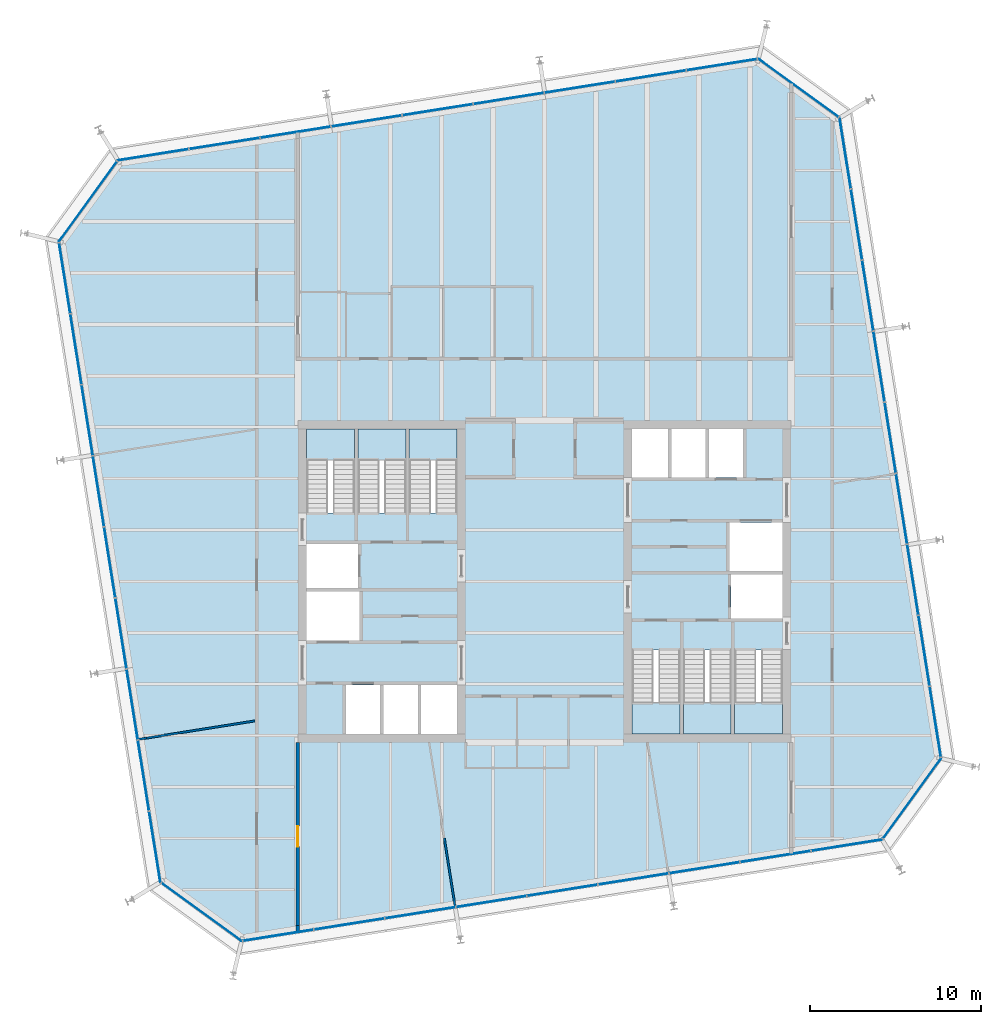
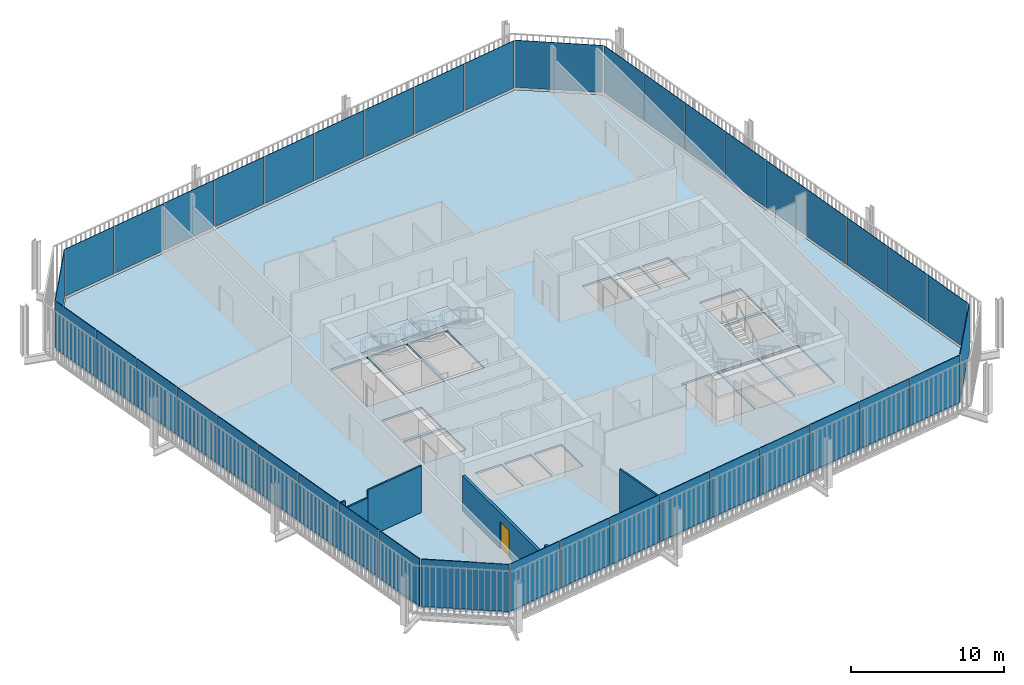
# One storey, part 15 of 20: 40 plates, 7 slabs, 6 walls, 1 door, 1 opening, 14 elements without a shape of their own.
"""IFC4 building model written with IfcOpenShell, lengths in metres."""

import ifcopenshell
import ifcopenshell.guid

model = None  # the IFC model being written
_history = None  # IfcOwnerHistory: only IFC2X3 demands one
_inside = {}  # id of a spatial element -> (the spatial element, [elements in it])
_under = {}  # id of a project, library or spatial element -> (it, [spatial elements below it])
_declared = {}  # id of a project -> (the project, [libraries it declares])
_typed = {}  # id of a type object -> (the type object, [elements of that type])
_made_of = {}  # id of a material, layer set ... -> (it, [elements and type objects made of it])


def new_model(schema):
    """Start an empty IFC model of exactly this schema.

    Asked for "IFC4X3", IfcOpenShell would pick the latest addendum, in which some entities
    have other attributes; the version numbers below select the first issue.
    IFC2X3 requires an IfcOwnerHistory on every rooted entity: one is made here for all.
    """
    global model, _history
    if schema == "IFC4X3":
        model = ifcopenshell.file(schema_version=(4, 3, 0, 0))
    else:
        model = ifcopenshell.file(schema=schema)
    _inside.clear()
    _under.clear()
    _declared.clear()
    _typed.clear()
    _made_of.clear()
    _history = None
    if model.schema == "IFC2X3":
        org = make("IfcOrganization", Name="unknown")
        user = make(
            "IfcPersonAndOrganization",
            ThePerson=make("IfcPerson", FamilyName="unknown"),
            TheOrganization=org,
        )
        app = make(
            "IfcApplication",
            ApplicationDeveloper=org,
            Version="unknown",
            ApplicationFullName="unknown",
            ApplicationIdentifier="unknown",
        )
        _history = make(
            "IfcOwnerHistory",
            OwningUser=user,
            OwningApplication=app,
            ChangeAction="ADDED",
            CreationDate=0,
        )
    return model


def make(cls, **values):
    """One entity of the class cls with the attributes given. An attribute that is None is left unset."""
    return model.create_entity(
        cls, **{name: value for name, value in values.items() if value is not None}
    )


def rooted(cls, **values):
    """An entity with a GlobalId (a new one), such as an element, a storey or a relation."""
    return make(cls, GlobalId=ifcopenshell.guid.new(), OwnerHistory=_history, **values)


def si_unit(unit_type, name, prefix=None):
    """IfcSIUnit, for example si_unit("LENGTHUNIT", "METRE", prefix="MILLI")."""
    return make("IfcSIUnit", UnitType=unit_type, Prefix=prefix, Name=name)


def assignment(units):
    """IfcUnitAssignment: the units of a project."""
    return None if units is None else make("IfcUnitAssignment", Units=units)


def point(xyz):
    """IfcCartesianPoint."""
    return None if xyz is None else make("IfcCartesianPoint", Coordinates=xyz)


def direction(xyz):
    """IfcDirection."""
    return None if xyz is None else make("IfcDirection", DirectionRatios=xyz)


def frame(location, z_axis=None, x_axis=None):
    """IfcAxis2Placement3D, a coordinate frame: its origin and axes. An axis left out is left unset."""
    return make(
        "IfcAxis2Placement3D",
        Location=point(location),
        Axis=direction(z_axis),
        RefDirection=direction(x_axis),
    )


def frame_2d(location, x_axis=None):
    """IfcAxis2Placement2D, a coordinate frame in the plane: its origin and x axis."""
    return make(
        "IfcAxis2Placement2D", Location=point(location), RefDirection=direction(x_axis)
    )


def origin():
    """The frame at (0, 0, 0) with its axes left unset."""
    return frame((0.0, 0.0, 0.0))


def place(relative_to, where):
    """IfcLocalPlacement: puts the frame where relative to a parent placement (None: the world)."""
    return make(
        "IfcLocalPlacement", PlacementRelTo=relative_to, RelativePlacement=where
    )


def context(
    kind, dimensions, precision=None, world=None, true_north=None, identifier=None
):
    """IfcGeometricRepresentationContext, for example the 3D "Model" context."""
    return make(
        "IfcGeometricRepresentationContext",
        ContextIdentifier=identifier,
        ContextType=kind,
        CoordinateSpaceDimension=dimensions,
        Precision=precision,
        WorldCoordinateSystem=world,
        TrueNorth=true_north,
    )


def subcontext(parent, identifier, kind, view, scale=None):
    """IfcGeometricRepresentationSubContext, for example "Body" below "Model"."""
    return make(
        "IfcGeometricRepresentationSubContext",
        ContextIdentifier=identifier,
        ContextType=kind,
        ParentContext=parent,
        TargetScale=scale,
        TargetView=view,
    )


def project(units=None, contexts=None):
    """IfcProject with its units and contexts."""
    return rooted(
        "IfcProject",
        Name="project",
        RepresentationContexts=contexts,
        UnitsInContext=assignment(units),
    )


def spatial(cls, under=None, at=None, **own):
    """A site, building, storey or space (cls), placed at a placement, below another one or the project."""
    s = rooted(cls, ObjectPlacement=at, **own)
    if under is not None:
        _under.setdefault(under.id(), (under, []))[1].append(s)
    return s


def polyline(points):
    """IfcPolyline through the points."""
    return make("IfcPolyline", Points=[point(p) for p in points])


def profile(cls, at=None, kind="AREA", **sizes):
    """A parametric profile (cls). Its sizes go by their IFC names, for example OverallWidth=200.0."""
    return make(cls, ProfileType=kind, Position=at, **sizes)


def rectangle(**sizes):
    """IfcRectangleProfileDef."""
    return profile("IfcRectangleProfileDef", **sizes)


def outline(outer, holes=None, kind="AREA"):
    """IfcArbitraryClosedProfileDef: a profile drawn as a closed curve; with holes, ...WithVoids."""
    if holes is None:
        return make("IfcArbitraryClosedProfileDef", ProfileType=kind, OuterCurve=outer)
    return make(
        "IfcArbitraryProfileDefWithVoids",
        ProfileType=kind,
        OuterCurve=outer,
        InnerCurves=holes,
    )


def extrude(swept, where, along, depth):
    """IfcExtrudedAreaSolid: the profile swept, set in the frame where, extruded along a direction by depth."""
    return make(
        "IfcExtrudedAreaSolid",
        SweptArea=swept,
        Position=where,
        ExtrudedDirection=direction(along),
        Depth=depth,
    )


def shape(context_of_items, identifier, shape_type, items):
    """IfcShapeRepresentation: the items that make up one representation, for example the "Body"."""
    return make(
        "IfcShapeRepresentation",
        ContextOfItems=context_of_items,
        RepresentationIdentifier=identifier,
        RepresentationType=shape_type,
        Items=items,
    )


def material(Name=None, Category=None):
    """IfcMaterial."""
    return make("IfcMaterial", Name=Name, Category=Category)


def layer(
    of_material, thickness, ventilated=None, Name=None, Category=None, Priority=None
):
    """IfcMaterialLayer: one layer of a wall or slab, of a material (None: an air gap)."""
    return make(
        "IfcMaterialLayer",
        Material=of_material,
        LayerThickness=thickness,
        IsVentilated=ventilated,
        Name=Name,
        Category=Category,
        Priority=Priority,
    )


def layer_set(layers, Name=None):
    """IfcMaterialLayerSet."""
    return make("IfcMaterialLayerSet", MaterialLayers=layers, LayerSetName=Name)


def made_of(thing, what):
    """Note that an element or type object is made of a material, layer set ...; save() writes the relation."""
    if what is not None:
        _made_of.setdefault(what.id(), (what, []))[1].append(thing)
    return thing


def type_object(cls, material=None, **own):
    """A type object (cls), such as IfcWallType, which elements share."""
    return made_of(rooted(cls, **own), material)


def element(
    cls,
    number,
    at=None,
    inside=None,
    cuts=None,
    type_object=None,
    material=None,
    context=None,
    identifier="Body",
    shape_type=None,
    held_by="IfcProductDefinitionShape",
    body=None,
    shapes=None,
    **own,
):
    """One element of the class cls, such as IfcWall. Its Tag is "e" and its number.

    at: its placement. inside: the storey or other place that contains it. cuts: it is an
    opening in that element (IfcRelVoidsElement). A single representation is given by context,
    identifier, shape_type and body (its items); several are given by shapes. held_by: the class
    of the entity that holds the representations. save() writes the other relations.
    """
    e = rooted(cls, Tag="e%d" % number, ObjectPlacement=at, **own)
    if body is not None:
        shapes = [shape(context, identifier, shape_type, body)]
    if shapes is not None:
        e.Representation = make(held_by, Representations=shapes)
    if inside is not None:
        _inside.setdefault(inside.id(), (inside, []))[1].append(e)
    if cuts is not None:
        rooted(
            "IfcRelVoidsElement", RelatingBuildingElement=cuts, RelatedOpeningElement=e
        )
    if type_object is not None:
        _typed.setdefault(type_object.id(), (type_object, []))[1].append(e)
    return made_of(e, material)


def fill(opening, filler):
    """IfcRelFillsElement: the door or window that sits in an opening."""
    return rooted(
        "IfcRelFillsElement",
        RelatingOpeningElement=opening,
        RelatedBuildingElement=filler,
    )


def aggregate(whole, parts):
    """IfcRelAggregates: a whole, such as a stair, and the parts it consists of."""
    return rooted("IfcRelAggregates", RelatingObject=whole, RelatedObjects=parts)


def save(model, path):
    """Write the relations noted so far, then the file.

    IfcRelAggregates (storeys below a building ...), IfcRelContainedInSpatialStructure (elements
    in a storey), IfcRelDefinesByType, IfcRelAssociatesMaterial and IfcRelDeclares: one each for
    every whole, place, type object, material and project.
    """
    for whole, parts in _under.values():
        aggregate(whole, parts)
    for where, things in _inside.values():
        rooted(
            "IfcRelContainedInSpatialStructure",
            RelatedElements=things,
            RelatingStructure=where,
        )
    for kind, things in _typed.values():
        rooted("IfcRelDefinesByType", RelatedObjects=things, RelatingType=kind)
    for what, things in _made_of.values():
        rooted("IfcRelAssociatesMaterial", RelatedObjects=things, RelatingMaterial=what)
    for by, libraries in _declared.values():
        rooted("IfcRelDeclares", RelatingContext=by, RelatedDefinitions=libraries)
    model.write(path)


model = new_model("IFC4")

# Units and contexts
model_context = context("Model", 3, precision=1e-05, world=origin(), true_north=direction((0.0, 1.0)))
body_context = subcontext(model_context, "Body", "Model", "MODEL_VIEW")
ifc_project = project(units=[si_unit("LENGTHUNIT", "METRE"), si_unit("AREAUNIT", "SQUARE_METRE"), si_unit("VOLUMEUNIT", "CUBIC_METRE"), si_unit("PLANEANGLEUNIT", "RADIAN"), si_unit("MASSUNIT", "GRAM", prefix="KILO")], contexts=[model_context])

# Site, building, storey
site_placement = place(None, origin())
site = spatial("IfcSite", under=ifc_project, at=site_placement, CompositionType="ELEMENT")
building_placement = place(site_placement, origin())
building = spatial("IfcBuilding", under=site, at=building_placement, Name="Millrace Tower", CompositionType="ELEMENT")
storey_placement = place(building_placement, frame((0.0, 0.0, 259.10009765625)))
storey = spatial("IfcBuildingStorey", under=building, at=storey_placement, Name="L59", CompositionType="ELEMENT", Elevation=259.10009765625)

# Curtain wall, plate
ifc_material_1 = material(Name="Aluminium and glass", Category="aluminium")
ifc_layer_1 = layer(ifc_material_1, 0.14990234375)
ifc_layer_set_1 = layer_set([ifc_layer_1], Name="Aluminium and glass")
curtain_wall_type = type_object("IfcCurtainWallType", Name="CW-1 office vision curtain wall", PredefinedType="NOTDEFINED", material=ifc_layer_set_1)
placement_1 = place(storey_placement, origin())
curtain_wall_1 = element("IfcCurtainWall", 1, at=placement_1, inside=storey, type_object=curtain_wall_type, Name="Curtain wall D-F01 L59", PredefinedType="NOTDEFINED")
ifc_material_2 = material(Name="Glass", Category="glass")
ifc_layer_2 = layer(ifc_material_2, 0.0439453125)
ifc_layer_set_2 = layer_set([ifc_layer_2], Name="Glass")
plate_type = type_object("IfcPlateType", Name="CW-1 office vision curtain wall triple-glazed vision panel", PredefinedType="CURTAIN_PANEL", material=ifc_layer_set_2)
placement_2 = place(storey_placement, frame((0.0, 0.0, 0.139892578125)))
plate_1 = element("IfcPlate", 2, at=placement_2, type_object=plate_type, Name="CW1 panel D-F01.1", PredefinedType="CURTAIN_PANEL", context=body_context, shape_type="SweptSolid", body=[
    extrude(outline(polyline([(-22.36474609375, -17.632080078125), (-17.69384765625, -21.025634765625), (-17.6826171875, -20.979248046875), (-22.3388671875, -17.596435546875), (-22.36474609375, -17.632080078125)])), origin(), (0.0, 0.0, 1.0), 3.760009765625),
])
aggregate(curtain_wall_1, [plate_1])

# Curtain wall, plates
curtain_wall_2 = element("IfcCurtainWall", 3, at=placement_1, inside=storey, type_object=curtain_wall_type, Name="Curtain wall D-F02 L59", PredefinedType="NOTDEFINED")
plate_2 = element("IfcPlate", 4, at=placement_2, type_object=plate_type, Name="CW1 panel D-F02.1", PredefinedType="CURTAIN_PANEL", context=body_context, shape_type="SweptSolid", body=[
    extrude(outline(polyline([(-17.58984375, -21.009033203125), (-13.505859375, -20.3623046875), (-13.5126953125, -20.31884765625), (-17.596923828125, -20.965576171875), (-17.58984375, -21.009033203125)])), origin(), (0.0, 0.0, 1.0), 3.760009765625),
])
plate_3 = element("IfcPlate", 5, at=placement_2, type_object=plate_type, Name="CW1 panel D-F02.2", PredefinedType="CURTAIN_PANEL", context=body_context, shape_type="SweptSolid", body=[
    extrude(outline(polyline([(-13.441650390625, -20.35205078125), (-9.357666015625, -19.705078125), (-9.364501953125, -19.66162109375), (-13.448486328125, -20.30859375), (-13.441650390625, -20.35205078125)])), origin(), (0.0, 0.0, 1.0), 3.760009765625),
])
plate_4 = element("IfcPlate", 6, at=placement_2, type_object=plate_type, Name="CW1 panel D-F02.3", PredefinedType="CURTAIN_PANEL", context=body_context, shape_type="SweptSolid", body=[
    extrude(outline(polyline([(-9.29345703125, -19.695068359375), (-5.209228515625, -19.048095703125), (-5.216064453125, -19.004638671875), (-9.30029296875, -19.651611328125), (-9.29345703125, -19.695068359375)])), origin(), (0.0, 0.0, 1.0), 3.760009765625),
])
plate_5 = element("IfcPlate", 7, at=placement_2, type_object=plate_type, Name="CW1 panel D-F02.4", PredefinedType="CURTAIN_PANEL", context=body_context, shape_type="SweptSolid", body=[
    extrude(outline(polyline([(-5.14501953125, -19.0380859375), (-1.06103515625, -18.39111328125), (-1.06787109375, -18.34765625), (-5.15185546875, -18.99462890625), (-5.14501953125, -19.0380859375)])), origin(), (0.0, 0.0, 1.0), 3.760009765625),
])
plate_6 = element("IfcPlate", 8, at=placement_2, type_object=plate_type, Name="CW1 panel D-F02.5", PredefinedType="CURTAIN_PANEL", context=body_context, shape_type="SweptSolid", body=[
    extrude(outline(polyline([(-0.996826171875, -18.380859375), (3.08740234375, -17.734130859375), (3.080322265625, -17.690673828125), (-1.003662109375, -18.33740234375), (-0.996826171875, -18.380859375)])), origin(), (0.0, 0.0, 1.0), 3.760009765625),
])
plate_7 = element("IfcPlate", 9, at=placement_2, type_object=plate_type, Name="CW1 panel D-F02.6", PredefinedType="CURTAIN_PANEL", context=body_context, shape_type="SweptSolid", body=[
    extrude(outline(polyline([(3.151611328125, -17.723876953125), (7.235595703125, -17.0771484375), (7.228759765625, -17.03369140625), (3.14453125, -17.680419921875), (3.151611328125, -17.723876953125)])), origin(), (0.0, 0.0, 1.0), 3.760009765625),
])
plate_8 = element("IfcPlate", 10, at=placement_2, type_object=plate_type, Name="CW1 panel D-F02.7", PredefinedType="CURTAIN_PANEL", context=body_context, shape_type="SweptSolid", body=[
    extrude(outline(polyline([(7.2998046875, -17.06689453125), (11.3837890625, -16.420166015625), (11.376953125, -16.376708984375), (7.29296875, -17.0234375), (7.2998046875, -17.06689453125)])), origin(), (0.0, 0.0, 1.0), 3.760009765625),
])
plate_9 = element("IfcPlate", 11, at=placement_2, type_object=plate_type, Name="CW1 panel D-F02.8", PredefinedType="CURTAIN_PANEL", context=body_context, shape_type="SweptSolid", body=[
    extrude(outline(polyline([(11.447998046875, -16.409912109375), (15.5322265625, -15.762939453125), (15.525390625, -15.719482421875), (11.441162109375, -16.366455078125), (11.447998046875, -16.409912109375)])), origin(), (0.0, 0.0, 1.0), 3.760009765625),
])
plate_10 = element("IfcPlate", 12, at=placement_2, type_object=plate_type, Name="CW1 panel D-F02.9", PredefinedType="CURTAIN_PANEL", context=body_context, shape_type="SweptSolid", body=[
    extrude(outline(polyline([(15.596435546875, -15.7529296875), (19.72021484375, -15.099853515625), (19.6953125, -15.05908203125), (15.589599609375, -15.70947265625), (15.596435546875, -15.7529296875)])), origin(), (0.0, 0.0, 1.0), 3.760009765625),
])
aggregate(curtain_wall_2, [plate_2, plate_3, plate_4, plate_5, plate_6, plate_7, plate_8, plate_9, plate_10])

# Curtain wall, plate
curtain_wall_3 = element("IfcCurtainWall", 13, at=placement_1, inside=storey, type_object=curtain_wall_type, Name="Curtain wall D-F03 L59", PredefinedType="NOTDEFINED")
plate_11 = element("IfcPlate", 14, at=placement_2, type_object=plate_type, Name="CW1 panel D-F03.1", PredefinedType="CURTAIN_PANEL", context=body_context, shape_type="SweptSolid", body=[
    extrude(outline(polyline([(19.781982421875, -15.0146484375), (23.175537109375, -10.34375), (23.129150390625, -10.332763671875), (19.746337890625, -14.98876953125), (19.781982421875, -15.0146484375)])), origin(), (0.0, 0.0, 1.0), 3.760009765625),
])
aggregate(curtain_wall_3, [plate_11])

# Curtain wall, plates
curtain_wall_4 = element("IfcCurtainWall", 15, at=placement_1, inside=storey, type_object=curtain_wall_type, Name="Curtain wall D-F04 L59", PredefinedType="NOTDEFINED")
plate_12 = element("IfcPlate", 16, at=placement_2, type_object=plate_type, Name="CW1 panel D-F04.1", PredefinedType="CURTAIN_PANEL", context=body_context, shape_type="SweptSolid", body=[
    extrude(outline(polyline([(23.1591796875, -10.239990234375), (22.51220703125, -6.15576171875), (22.46875, -6.162841796875), (23.11572265625, -10.246826171875), (23.1591796875, -10.239990234375)])), origin(), (0.0, 0.0, 1.0), 3.760009765625),
])
plate_13 = element("IfcPlate", 17, at=placement_2, type_object=plate_type, Name="CW1 panel D-F04.2", PredefinedType="CURTAIN_PANEL", context=body_context, shape_type="SweptSolid", body=[
    extrude(outline(polyline([(22.501953125, -6.091552734375), (21.855224609375, -2.007568359375), (21.811767578125, -2.014404296875), (22.45849609375, -6.0986328125), (22.501953125, -6.091552734375)])), origin(), (0.0, 0.0, 1.0), 3.760009765625),
])
plate_14 = element("IfcPlate", 18, at=placement_2, type_object=plate_type, Name="CW1 panel D-F04.3", PredefinedType="CURTAIN_PANEL", context=body_context, shape_type="SweptSolid", body=[
    extrude(outline(polyline([(21.844970703125, -1.943359375), (21.1982421875, 2.140625), (21.15478515625, 2.1337890625), (21.801513671875, -1.9501953125), (21.844970703125, -1.943359375)])), origin(), (0.0, 0.0, 1.0), 3.760009765625),
])
plate_15 = element("IfcPlate", 19, at=placement_2, type_object=plate_type, Name="CW1 panel D-F04.4", PredefinedType="CURTAIN_PANEL", context=body_context, shape_type="SweptSolid", body=[
    extrude(outline(polyline([(21.18798828125, 2.204833984375), (20.541259765625, 6.2890625), (20.497802734375, 6.2822265625), (21.14453125, 2.197998046875), (21.18798828125, 2.204833984375)])), origin(), (0.0, 0.0, 1.0), 3.760009765625),
])
plate_16 = element("IfcPlate", 20, at=placement_2, type_object=plate_type, Name="CW1 panel D-F04.5", PredefinedType="CURTAIN_PANEL", context=body_context, shape_type="SweptSolid", body=[
    extrude(outline(polyline([(20.531005859375, 6.353271484375), (19.884033203125, 10.437255859375), (19.840576171875, 10.430419921875), (20.487548828125, 6.346435546875), (20.531005859375, 6.353271484375)])), origin(), (0.0, 0.0, 1.0), 3.760009765625),
])
plate_17 = element("IfcPlate", 21, at=placement_2, type_object=plate_type, Name="CW1 panel D-F04.6", PredefinedType="CURTAIN_PANEL", context=body_context, shape_type="SweptSolid", body=[
    extrude(outline(polyline([(19.8740234375, 10.50146484375), (19.22705078125, 14.585693359375), (19.18359375, 14.57861328125), (19.83056640625, 10.49462890625), (19.8740234375, 10.50146484375)])), origin(), (0.0, 0.0, 1.0), 3.760009765625),
])
plate_18 = element("IfcPlate", 22, at=placement_2, type_object=plate_type, Name="CW1 panel D-F04.7", PredefinedType="CURTAIN_PANEL", context=body_context, shape_type="SweptSolid", body=[
    extrude(outline(polyline([(19.217041015625, 14.64990234375), (18.570068359375, 18.73388671875), (18.526611328125, 18.72705078125), (19.173583984375, 14.642822265625), (19.217041015625, 14.64990234375)])), origin(), (0.0, 0.0, 1.0), 3.760009765625),
])
plate_19 = element("IfcPlate", 23, at=placement_2, type_object=plate_type, Name="CW1 panel D-F04.8", PredefinedType="CURTAIN_PANEL", context=body_context, shape_type="SweptSolid", body=[
    extrude(outline(polyline([(18.559814453125, 18.798095703125), (17.9130859375, 22.882080078125), (17.86962890625, 22.875244140625), (18.516357421875, 18.791259765625), (18.559814453125, 18.798095703125)])), origin(), (0.0, 0.0, 1.0), 3.760009765625),
])
plate_20 = element("IfcPlate", 24, at=placement_2, type_object=plate_type, Name="CW1 panel D-F04.9", PredefinedType="CURTAIN_PANEL", context=body_context, shape_type="SweptSolid", body=[
    extrude(outline(polyline([(17.90283203125, 22.9462890625), (17.249755859375, 27.070068359375), (17.209228515625, 27.045166015625), (17.859375, 22.939453125), (17.90283203125, 22.9462890625)])), origin(), (0.0, 0.0, 1.0), 3.760009765625),
])
aggregate(curtain_wall_4, [plate_12, plate_13, plate_14, plate_15, plate_16, plate_17, plate_18, plate_19, plate_20])

# Curtain wall, plate
curtain_wall_5 = element("IfcCurtainWall", 25, at=placement_1, inside=storey, type_object=curtain_wall_type, Name="Curtain wall D-F05 L59", PredefinedType="NOTDEFINED")
plate_21 = element("IfcPlate", 26, at=placement_2, type_object=plate_type, Name="CW1 panel D-F05.1", PredefinedType="CURTAIN_PANEL", context=body_context, shape_type="SweptSolid", body=[
    extrude(outline(polyline([(17.16455078125, 27.132080078125), (12.493896484375, 30.525634765625), (12.482666015625, 30.479248046875), (17.138671875, 27.096435546875), (17.16455078125, 27.132080078125)])), origin(), (0.0, 0.0, 1.0), 3.760009765625),
])
aggregate(curtain_wall_5, [plate_21])

# Curtain wall, plates
curtain_wall_6 = element("IfcCurtainWall", 27, at=placement_1, inside=storey, type_object=curtain_wall_type, Name="Curtain wall D-F06 L59", PredefinedType="NOTDEFINED")
plate_22 = element("IfcPlate", 28, at=placement_2, type_object=plate_type, Name="CW1 panel D-F06.1", PredefinedType="CURTAIN_PANEL", context=body_context, shape_type="SweptSolid", body=[
    extrude(outline(polyline([(12.389892578125, 30.509033203125), (8.305908203125, 29.8623046875), (8.312744140625, 29.81884765625), (12.396728515625, 30.465576171875), (12.389892578125, 30.509033203125)])), origin(), (0.0, 0.0, 1.0), 3.760009765625),
])
plate_23 = element("IfcPlate", 29, at=placement_2, type_object=plate_type, Name="CW1 panel D-F06.2", PredefinedType="CURTAIN_PANEL", context=body_context, shape_type="SweptSolid", body=[
    extrude(outline(polyline([(8.24169921875, 29.85205078125), (4.157470703125, 29.205078125), (4.16455078125, 29.16162109375), (8.24853515625, 29.80859375), (8.24169921875, 29.85205078125)])), origin(), (0.0, 0.0, 1.0), 3.760009765625),
])
plate_24 = element("IfcPlate", 30, at=placement_2, type_object=plate_type, Name="CW1 panel D-F06.3", PredefinedType="CURTAIN_PANEL", context=body_context, shape_type="SweptSolid", body=[
    extrude(outline(polyline([(4.09326171875, 29.195068359375), (0.00927734375, 28.548095703125), (0.01611328125, 28.504638671875), (4.100341796875, 29.151611328125), (4.09326171875, 29.195068359375)])), origin(), (0.0, 0.0, 1.0), 3.760009765625),
])
plate_25 = element("IfcPlate", 31, at=placement_2, type_object=plate_type, Name="CW1 panel D-F06.4", PredefinedType="CURTAIN_PANEL", context=body_context, shape_type="SweptSolid", body=[
    extrude(outline(polyline([(-0.054931640625, 28.5380859375), (-4.138916015625, 27.89111328125), (-4.132080078125, 27.84765625), (-0.048095703125, 28.49462890625), (-0.054931640625, 28.5380859375)])), origin(), (0.0, 0.0, 1.0), 3.760009765625),
])
plate_26 = element("IfcPlate", 32, at=placement_2, type_object=plate_type, Name="CW1 panel D-F06.5", PredefinedType="CURTAIN_PANEL", context=body_context, shape_type="SweptSolid", body=[
    extrude(outline(polyline([(-4.203125, 27.880859375), (-8.287353515625, 27.234130859375), (-8.280517578125, 27.190673828125), (-4.1962890625, 27.83740234375), (-4.203125, 27.880859375)])), origin(), (0.0, 0.0, 1.0), 3.760009765625),
])
plate_27 = element("IfcPlate", 33, at=placement_2, type_object=plate_type, Name="CW1 panel D-F06.6", PredefinedType="CURTAIN_PANEL", context=body_context, shape_type="SweptSolid", body=[
    extrude(outline(polyline([(-8.3515625, 27.223876953125), (-12.435546875, 26.5771484375), (-12.4287109375, 26.53369140625), (-8.3447265625, 27.180419921875), (-8.3515625, 27.223876953125)])), origin(), (0.0, 0.0, 1.0), 3.760009765625),
])
plate_28 = element("IfcPlate", 34, at=placement_2, type_object=plate_type, Name="CW1 panel D-F06.7", PredefinedType="CURTAIN_PANEL", context=body_context, shape_type="SweptSolid", body=[
    extrude(outline(polyline([(-12.499755859375, 26.56689453125), (-16.583984375, 25.920166015625), (-16.576904296875, 25.876708984375), (-12.492919921875, 26.5234375), (-12.499755859375, 26.56689453125)])), origin(), (0.0, 0.0, 1.0), 3.760009765625),
])
plate_29 = element("IfcPlate", 35, at=placement_2, type_object=plate_type, Name="CW1 panel D-F06.8", PredefinedType="CURTAIN_PANEL", context=body_context, shape_type="SweptSolid", body=[
    extrude(outline(polyline([(-16.648193359375, 25.909912109375), (-20.732177734375, 25.262939453125), (-20.725341796875, 25.219482421875), (-16.64111328125, 25.866455078125), (-16.648193359375, 25.909912109375)])), origin(), (0.0, 0.0, 1.0), 3.760009765625),
])
plate_30 = element("IfcPlate", 36, at=placement_2, type_object=plate_type, Name="CW1 panel D-F06.9", PredefinedType="CURTAIN_PANEL", context=body_context, shape_type="SweptSolid", body=[
    extrude(outline(polyline([(-20.79638671875, 25.2529296875), (-24.920166015625, 24.599853515625), (-24.895263671875, 24.55908203125), (-20.78955078125, 25.20947265625), (-20.79638671875, 25.2529296875)])), origin(), (0.0, 0.0, 1.0), 3.760009765625),
])
aggregate(curtain_wall_6, [plate_22, plate_23, plate_24, plate_25, plate_26, plate_27, plate_28, plate_29, plate_30])

# Curtain wall, plate
curtain_wall_7 = element("IfcCurtainWall", 37, at=placement_1, inside=storey, type_object=curtain_wall_type, Name="Curtain wall D-F07 L59", PredefinedType="NOTDEFINED")
plate_31 = element("IfcPlate", 38, at=placement_2, type_object=plate_type, Name="CW1 panel D-F07.1", PredefinedType="CURTAIN_PANEL", context=body_context, shape_type="SweptSolid", body=[
    extrude(outline(polyline([(-24.98193359375, 24.5146484375), (-28.37548828125, 19.84375), (-28.329345703125, 19.832763671875), (-24.9462890625, 24.48876953125), (-24.98193359375, 24.5146484375)])), origin(), (0.0, 0.0, 1.0), 3.760009765625),
])
aggregate(curtain_wall_7, [plate_31])

# Curtain wall, plates
curtain_wall_8 = element("IfcCurtainWall", 39, at=placement_1, inside=storey, type_object=curtain_wall_type, Name="Curtain wall D-F08 L59", PredefinedType="NOTDEFINED")
plate_32 = element("IfcPlate", 40, at=placement_2, type_object=plate_type, Name="CW1 panel D-F08.1", PredefinedType="CURTAIN_PANEL", context=body_context, shape_type="SweptSolid", body=[
    extrude(outline(polyline([(-28.359130859375, 19.739990234375), (-27.712158203125, 15.65576171875), (-27.668701171875, 15.662841796875), (-28.315673828125, 19.746826171875), (-28.359130859375, 19.739990234375)])), origin(), (0.0, 0.0, 1.0), 3.760009765625),
])
plate_33 = element("IfcPlate", 41, at=placement_2, type_object=plate_type, Name="CW1 panel D-F08.2", PredefinedType="CURTAIN_PANEL", context=body_context, shape_type="SweptSolid", body=[
    extrude(outline(polyline([(-27.7021484375, 15.591552734375), (-27.05517578125, 11.507568359375), (-27.01171875, 11.514404296875), (-27.65869140625, 15.5986328125), (-27.7021484375, 15.591552734375)])), origin(), (0.0, 0.0, 1.0), 3.760009765625),
])
plate_34 = element("IfcPlate", 42, at=placement_2, type_object=plate_type, Name="CW1 panel D-F08.3", PredefinedType="CURTAIN_PANEL", context=body_context, shape_type="SweptSolid", body=[
    extrude(outline(polyline([(-27.044921875, 11.443359375), (-26.398193359375, 7.359375), (-26.354736328125, 7.3662109375), (-27.00146484375, 11.4501953125), (-27.044921875, 11.443359375)])), origin(), (0.0, 0.0, 1.0), 3.760009765625),
])
plate_35 = element("IfcPlate", 43, at=placement_2, type_object=plate_type, Name="CW1 panel D-F08.4", PredefinedType="CURTAIN_PANEL", context=body_context, shape_type="SweptSolid", body=[
    extrude(outline(polyline([(-26.387939453125, 7.295166015625), (-25.7412109375, 3.2109375), (-25.69775390625, 3.2177734375), (-26.344482421875, 7.302001953125), (-26.387939453125, 7.295166015625)])), origin(), (0.0, 0.0, 1.0), 3.760009765625),
])
plate_36 = element("IfcPlate", 44, at=placement_2, type_object=plate_type, Name="CW1 panel D-F08.5", PredefinedType="CURTAIN_PANEL", context=body_context, shape_type="SweptSolid", body=[
    extrude(outline(polyline([(-25.73095703125, 3.146728515625), (-25.084228515625, -0.937255859375), (-25.040771484375, -0.930419921875), (-25.6875, 3.153564453125), (-25.73095703125, 3.146728515625)])), origin(), (0.0, 0.0, 1.0), 3.760009765625),
])
plate_37 = element("IfcPlate", 45, at=placement_2, type_object=plate_type, Name="CW1 panel D-F08.6", PredefinedType="CURTAIN_PANEL", context=body_context, shape_type="SweptSolid", body=[
    extrude(outline(polyline([(-25.073974609375, -1.00146484375), (-24.427001953125, -5.085693359375), (-24.383544921875, -5.07861328125), (-25.030517578125, -0.99462890625), (-25.073974609375, -1.00146484375)])), origin(), (0.0, 0.0, 1.0), 3.760009765625),
])
plate_38 = element("IfcPlate", 46, at=placement_2, type_object=plate_type, Name="CW1 panel D-F08.7", PredefinedType="CURTAIN_PANEL", context=body_context, shape_type="SweptSolid", body=[
    extrude(outline(polyline([(-24.4169921875, -5.14990234375), (-23.77001953125, -9.23388671875), (-23.7265625, -9.22705078125), (-24.37353515625, -5.142822265625), (-24.4169921875, -5.14990234375)])), origin(), (0.0, 0.0, 1.0), 3.760009765625),
])
plate_39 = element("IfcPlate", 47, at=placement_2, type_object=plate_type, Name="CW1 panel D-F08.8", PredefinedType="CURTAIN_PANEL", context=body_context, shape_type="SweptSolid", body=[
    extrude(outline(polyline([(-23.760009765625, -9.298095703125), (-23.113037109375, -13.382080078125), (-23.069580078125, -13.375244140625), (-23.716552734375, -9.291259765625), (-23.760009765625, -9.298095703125)])), origin(), (0.0, 0.0, 1.0), 3.760009765625),
])
plate_40 = element("IfcPlate", 48, at=placement_2, type_object=plate_type, Name="CW1 panel D-F08.9", PredefinedType="CURTAIN_PANEL", context=body_context, shape_type="SweptSolid", body=[
    extrude(outline(polyline([(-23.102783203125, -13.4462890625), (-22.44970703125, -17.570068359375), (-22.4091796875, -17.545166015625), (-23.059326171875, -13.439453125), (-23.102783203125, -13.4462890625)])), origin(), (0.0, 0.0, 1.0), 3.760009765625),
])
aggregate(curtain_wall_8, [plate_32, plate_33, plate_34, plate_35, plate_36, plate_37, plate_38, plate_39, plate_40])

# Slab
ifc_material_3 = material(Name="Concrete C35 on steel deck", Category="concrete")
ifc_layer_3 = layer(ifc_material_3, 0.159912109375)
ifc_layer_set_3 = layer_set([ifc_layer_3], Name="Concrete C35 on steel deck")
slab_type_1 = type_object("IfcSlabType", Name="Composite floor slab 160 mm", PredefinedType="FLOOR", material=ifc_layer_set_3)
slab_1_placement = place(storey_placement, frame((0.0, 0.0, -0.16015625)))
element("IfcSlab", 49, at=slab_1_placement, inside=storey, type_object=slab_type_1, Name="SL-D-L59-S1", PredefinedType="FLOOR", context=body_context, shape_type="SweptSolid", body=[
    extrude(outline(polyline([(-22.360107421875, -17.515380859375), (-17.66943359375, -20.92333984375), (19.665283203125, -15.01025390625), (23.073486328125, -10.3193359375), (17.16015625, 27.015380859375), (12.46923828125, 30.42333984375), (-24.865234375, 24.51025390625), (-28.2734375, 19.8193359375), (-22.360107421875, -17.515380859375)]), holes=[polyline([(-11.60009765625, -8.89990234375), (-9.60009765625, -8.89990234375), (-9.60009765625, -6.050048828125), (-11.60009765625, -6.050048828125), (-11.60009765625, -8.89990234375)]), polyline([(-9.39990234375, -8.89990234375), (-7.39990234375, -8.89990234375), (-7.39990234375, -6.050048828125), (-9.39990234375, -6.050048828125), (-9.39990234375, -8.89990234375)]), polyline([(-7.199951171875, -8.89990234375), (-5.10009765625, -8.89990234375), (-5.10009765625, -6.050048828125), (-7.199951171875, -6.050048828125), (-7.199951171875, -8.89990234375)]), polyline([(-13.89990234375, -3.449951171875), (-10.800048828125, -3.449951171875), (-10.800048828125, -0.60009765625), (-13.89990234375, -0.60009765625), (-13.89990234375, -3.449951171875)]), polyline([(-13.89990234375, -0.39990234375), (-10.89990234375, -0.39990234375), (-10.89990234375, 2.179931640625), (-13.89990234375, 2.179931640625), (-13.89990234375, -0.39990234375)]), polyline([(-13.89990234375, 4.0), (-11.10009765625, 4.0), (-11.10009765625, 8.89990234375), (-13.89990234375, 8.89990234375), (-13.89990234375, 4.0)]), polyline([(-10.89990234375, 4.0), (-8.10009765625, 4.0), (-8.10009765625, 8.89990234375), (-10.89990234375, 8.89990234375), (-10.89990234375, 4.0)]), polyline([(-7.89990234375, 4.0), (-5.10009765625, 4.0), (-5.10009765625, 8.89990234375), (-7.89990234375, 8.89990234375), (-7.89990234375, 4.0)]), polyline([(9.60009765625, 6.050048828125), (11.60009765625, 6.050048828125), (11.60009765625, 8.89990234375), (9.60009765625, 8.89990234375), (9.60009765625, 6.050048828125)]), polyline([(7.39990234375, 6.050048828125), (9.39990234375, 6.050048828125), (9.39990234375, 8.89990234375), (7.39990234375, 8.89990234375), (7.39990234375, 6.050048828125)]), polyline([(5.10009765625, 6.050048828125), (7.199951171875, 6.050048828125), (7.199951171875, 8.89990234375), (5.10009765625, 8.89990234375), (5.10009765625, 6.050048828125)]), polyline([(10.800048828125, 0.60009765625), (13.89990234375, 0.60009765625), (13.89990234375, 3.449951171875), (10.800048828125, 3.449951171875), (10.800048828125, 0.60009765625)]), polyline([(10.89990234375, -2.179931640625), (13.89990234375, -2.179931640625), (13.89990234375, 0.39990234375), (10.89990234375, 0.39990234375), (10.89990234375, -2.179931640625)]), polyline([(11.10009765625, -8.89990234375), (13.89990234375, -8.89990234375), (13.89990234375, -4.0), (11.10009765625, -4.0), (11.10009765625, -8.89990234375)]), polyline([(8.10009765625, -8.89990234375), (10.89990234375, -8.89990234375), (10.89990234375, -4.0), (8.10009765625, -4.0), (8.10009765625, -8.89990234375)]), polyline([(5.10009765625, -8.89990234375), (7.89990234375, -8.89990234375), (7.89990234375, -4.0), (5.10009765625, -4.0), (5.10009765625, -8.89990234375)])]), origin(), (0.0, 0.0, 1.0), 0.16015625),
])

# Stair, slab
ifc_material_4 = material(Name="Concrete C35", Category="concrete")
stair_type = type_object("IfcStairType", Name="Exit stair", PredefinedType="HALF_TURN_STAIR", material=ifc_material_4)
stair_1 = element("IfcStair", 50, at=placement_1, inside=storey, type_object=stair_type, Name="Stair 1 W L59", PredefinedType="HALF_TURN_STAIR")
ifc_material_5 = material(Name="Concrete C40", Category="concrete")
ifc_layer_4 = layer(ifc_material_5, 0.199951171875)
ifc_layer_set_4 = layer_set([ifc_layer_4], Name="Concrete C40")
slab_type_2 = type_object("IfcSlabType", Name="Stair landing", PredefinedType="LANDING", material=ifc_layer_set_4)
placement_3 = place(storey_placement, frame((0.0, 0.0, 1.75)))
slab_2 = element("IfcSlab", 51, at=placement_3, type_object=slab_type_2, Name="ST12 landing 1", PredefinedType="LANDING", context=body_context, shape_type="SweptSolid", body=[
    extrude(outline(polyline([(-13.89990234375, 7.080078125), (-11.10009765625, 7.080078125), (-11.10009765625, 8.89990234375), (-13.89990234375, 8.89990234375), (-13.89990234375, 7.080078125)])), origin(), (0.0, 0.0, 1.0), 0.199951171875),
])
aggregate(stair_1, [slab_2])

stair_2 = element("IfcStair", 52, at=placement_1, inside=storey, type_object=stair_type, Name="Stair 2 W L59", PredefinedType="HALF_TURN_STAIR")
slab_3 = element("IfcSlab", 53, at=placement_3, type_object=slab_type_2, Name="ST12 landing 1", PredefinedType="LANDING", context=body_context, shape_type="SweptSolid", body=[
    extrude(outline(polyline([(-10.89990234375, 7.080078125), (-8.10009765625, 7.080078125), (-8.10009765625, 8.89990234375), (-10.89990234375, 8.89990234375), (-10.89990234375, 7.080078125)])), origin(), (0.0, 0.0, 1.0), 0.199951171875),
])
aggregate(stair_2, [slab_3])

stair_3 = element("IfcStair", 54, at=placement_1, inside=storey, type_object=stair_type, Name="Stair 3 W L59", PredefinedType="HALF_TURN_STAIR")
slab_4 = element("IfcSlab", 55, at=placement_3, type_object=slab_type_2, Name="ST12 landing 1", PredefinedType="LANDING", context=body_context, shape_type="SweptSolid", body=[
    extrude(outline(polyline([(-7.89990234375, 7.080078125), (-5.10009765625, 7.080078125), (-5.10009765625, 8.89990234375), (-7.89990234375, 8.89990234375), (-7.89990234375, 7.080078125)])), origin(), (0.0, 0.0, 1.0), 0.199951171875),
])
aggregate(stair_3, [slab_4])

stair_4 = element("IfcStair", 56, at=placement_1, inside=storey, type_object=stair_type, Name="Stair 1 E L59", PredefinedType="HALF_TURN_STAIR")
slab_5 = element("IfcSlab", 57, at=placement_3, type_object=slab_type_2, Name="ST12 landing 1", PredefinedType="LANDING", context=body_context, shape_type="SweptSolid", body=[
    extrude(outline(polyline([(11.10009765625, -8.89990234375), (13.89990234375, -8.89990234375), (13.89990234375, -7.080078125), (11.10009765625, -7.080078125), (11.10009765625, -8.89990234375)])), origin(), (0.0, 0.0, 1.0), 0.199951171875),
])
aggregate(stair_4, [slab_5])

stair_5 = element("IfcStair", 58, at=placement_1, inside=storey, type_object=stair_type, Name="Stair 2 E L59", PredefinedType="HALF_TURN_STAIR")
slab_6 = element("IfcSlab", 59, at=placement_3, type_object=slab_type_2, Name="ST12 landing 1", PredefinedType="LANDING", context=body_context, shape_type="SweptSolid", body=[
    extrude(outline(polyline([(8.10009765625, -8.89990234375), (10.89990234375, -8.89990234375), (10.89990234375, -7.080078125), (8.10009765625, -7.080078125), (8.10009765625, -8.89990234375)])), origin(), (0.0, 0.0, 1.0), 0.199951171875),
])
aggregate(stair_5, [slab_6])

stair_6 = element("IfcStair", 60, at=placement_1, inside=storey, type_object=stair_type, Name="Stair 3 E L59", PredefinedType="HALF_TURN_STAIR")
slab_7 = element("IfcSlab", 61, at=placement_3, type_object=slab_type_2, Name="ST12 landing 1", PredefinedType="LANDING", context=body_context, shape_type="SweptSolid", body=[
    extrude(outline(polyline([(5.10009765625, -8.89990234375), (7.89990234375, -8.89990234375), (7.89990234375, -7.080078125), (5.10009765625, -7.080078125), (5.10009765625, -8.89990234375)])), origin(), (0.0, 0.0, 1.0), 0.199951171875),
])
aggregate(stair_6, [slab_7])

# Wall
ifc_material_6 = material(Name="Masonry partition, fire-rated", Category="masonry")
ifc_layer_5 = layer(ifc_material_6, 0.199951171875)
ifc_layer_set_5 = layer_set([ifc_layer_5], Name="Masonry partition, fire-rated")
wall_type_1 = type_object("IfcWallType", Name="Corridor wall 200", PredefinedType="PARTITIONING", material=ifc_layer_set_5)
wall_1_placement = place(storey_placement, frame((-14.39990234375, -20.43603515625, 0.0), z_axis=(0.0, 0.0, 1.0), x_axis=(0.0, 1.0, 0.0)))
element("IfcWall", 62, at=wall_1_placement, inside=storey, type_object=wall_type_1, Name="Corridor wall L59", PredefinedType="PARTITIONING", context=body_context, shape_type="SweptSolid", body=[
    extrude(rectangle(XDim=0.349609375, YDim=0.199951171875, at=frame_2d((0.1748046875, 0.0))), origin(), (0.0, 0.0, 1.0), 3.739990234375),
])

# Wall, opening, door
wall_2_placement = place(storey_placement, frame((-14.39990234375, -20.08642578125, 0.0), z_axis=(0.0, 0.0, 1.0), x_axis=(0.0, 1.0, 0.0)))
wall_2 = element("IfcWall", 63, at=wall_2_placement, inside=storey, type_object=wall_type_1, Name="Corridor wall L59", PredefinedType="PARTITIONING", context=body_context, shape_type="SweptSolid", body=[
    extrude(rectangle(XDim=10.6865234375, YDim=0.199951171875, at=frame_2d((5.34326171875, 0.0))), origin(), (0.0, 0.0, 1.0), 2.812744140625),
])
opening_placement = place(wall_2_placement, frame((4.593994140625, 0.0, 0.0)))
opening = element("IfcOpeningElement", 64, at=opening_placement, cuts=wall_2, Name="Opening 59-P011", PredefinedType="OPENING", context=body_context, shape_type="SweptSolid", body=[
    extrude(rectangle(XDim=1.199951171875, YDim=2.10009765625, at=frame_2d((0.60009765625, 1.050048828125))), frame((0.0, 0.10986328125, 0.0), z_axis=(0.0, -1.0, 0.0), x_axis=(1.0, 0.0, 0.0)), (0.0, 0.0, 1.0), 0.219970703125),
])
ifc_material_7 = material(Name="Steel door set, fire-rated", Category="steel")
door_type = type_object("IfcDoorType", Name="Corridor door 1200 x 2100", OperationType="SINGLE_SWING_LEFT", PredefinedType="DOOR", material=ifc_material_7)
door_placement = place(opening_placement, frame((1.199951171875, 0.0, 0.0), z_axis=(0.0, 0.0, 1.0), x_axis=(-1.0, 0.0, 0.0)))
door = element("IfcDoor", 65, at=door_placement, inside=storey, type_object=door_type, Name="Door 59-P011", OperationType="SINGLE_SWING_RIGHT", OverallHeight=2.10009765625, OverallWidth=1.199951171875, PredefinedType="DOOR", context=body_context, shape_type="SweptSolid", body=[
    extrude(rectangle(XDim=1.199951171875, YDim=2.10009765625, at=frame_2d((0.60009765625, 1.050048828125))), frame((0.0, 0.02490234375, 0.0), z_axis=(0.0, -1.0, 0.0), x_axis=(1.0, 0.0, 0.0)), (0.0, 0.0, 1.0), 0.050048828125),
])
fill(opening, door)

# Walls
ifc_material_8 = material(Name="Gypsum board partition")
ifc_layer_6 = layer(ifc_material_8, 0.1201171875)
ifc_layer_set_6 = layer_set([ifc_layer_6], Name="Gypsum board partition")
wall_type_2 = type_object("IfcWallType", Name="Partition wall 120", PredefinedType="PARTITIONING", material=ifc_layer_set_6)
wall_3_placement = place(storey_placement, frame((-5.851806640625, -14.99267578125, 0.0), z_axis=(0.0, 0.0, 1.0), x_axis=(0.15636605837, -0.987699172719, 0.0)))
element("IfcWall", 66, at=wall_3_placement, inside=storey, type_object=wall_type_2, Name="Partition wall L59", PredefinedType="PARTITIONING", context=body_context, shape_type="SweptSolid", body=[
    extrude(rectangle(XDim=4.039306640625, YDim=0.1201171875, at=frame_2d((2.01953125, 0.0))), origin(), (0.0, 0.0, 1.0), 3.739990234375),
])
wall_4_placement = place(storey_placement, frame((-23.703857421875, -9.2236328125, 0.0), z_axis=(0.0, 0.0, 1.0), x_axis=(0.987688969713, 0.156430492897, 0.0)))
element("IfcWall", 67, at=wall_4_placement, inside=storey, type_object=wall_type_2, Name="Partition wall L59", PredefinedType="PARTITIONING", context=body_context, shape_type="SweptSolid", body=[
    extrude(rectangle(XDim=0.482177734375, YDim=0.1201171875, at=frame_2d((0.2412109375, 0.0))), origin(), (0.0, 0.0, 1.0), 3.739990234375),
])
wall_5_placement = place(storey_placement, frame((-23.2275390625, -9.148193359375, 0.0), z_axis=(0.0, 0.0, 1.0), x_axis=(0.987698128174, 0.156372656182, 0.0)))
element("IfcWall", 68, at=wall_5_placement, inside=storey, type_object=wall_type_2, Name="Partition wall L59", PredefinedType="PARTITIONING", context=body_context, shape_type="SweptSolid", body=[
    extrude(rectangle(XDim=1.8955078125, YDim=0.1201171875, at=frame_2d((0.94775390625, 0.0))), origin(), (0.0, 0.0, 1.0), 3.140380859375),
])
wall_6_placement = place(storey_placement, frame((-21.35546875, -8.851806640625, 0.0), z_axis=(0.0, 0.0, 1.0), x_axis=(0.987682554694, 0.156470991409, 0.0)))
element("IfcWall", 69, at=wall_6_placement, inside=storey, type_object=wall_type_2, Name="Partition wall L59", PredefinedType="PARTITIONING", context=body_context, shape_type="SweptSolid", body=[
    extrude(rectangle(XDim=4.512451171875, YDim=0.1201171875, at=frame_2d((2.25634765625, 0.0))), origin(), (0.0, 0.0, 1.0), 3.739990234375),
])

save(model, "model.ifc")
